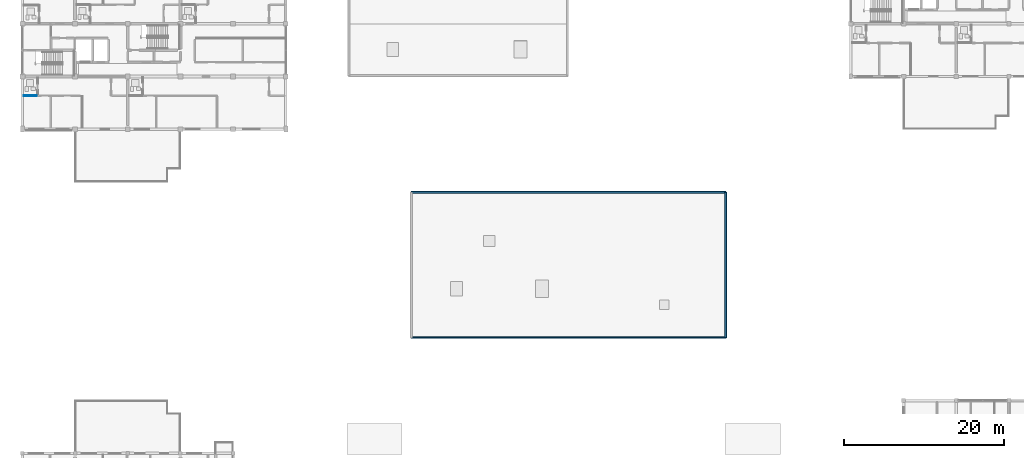
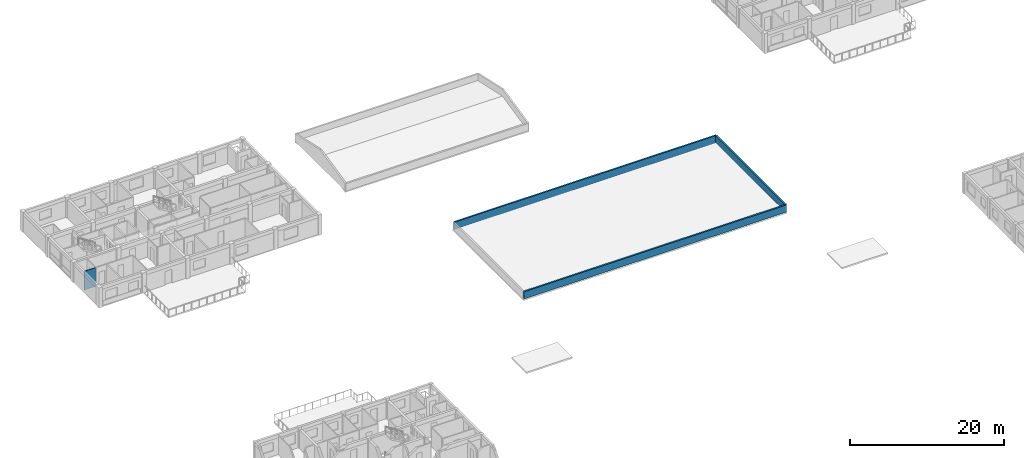
# One storey, part 33 of 51: 4 walls.
"""IFC4 building model written with IfcOpenShell, lengths in metres."""

from ifc_helpers import new_model, si_unit, direction, frame, frame_2d, origin, place, context, subcontext, project, spatial, rectangle, extrude, material, layer, layer_set, type_object, element, save


model = new_model("IFC4")

# Units and contexts
model_context = context("Model", 3, precision=1e-05, world=origin(), true_north=direction((0.0, 1.0)))
body_context = subcontext(model_context, "Body", "Model", "MODEL_VIEW")
ifc_project = project(units=[si_unit("LENGTHUNIT", "METRE"), si_unit("AREAUNIT", "SQUARE_METRE"), si_unit("VOLUMEUNIT", "CUBIC_METRE"), si_unit("PLANEANGLEUNIT", "RADIAN"), si_unit("MASSUNIT", "GRAM", prefix="KILO")], contexts=[model_context])

# Site, building, storey
site_placement = place(None, origin())
site = spatial("IfcSite", under=ifc_project, at=site_placement, CompositionType="ELEMENT")
building_placement = place(site_placement, origin())
building = spatial("IfcBuilding", under=site, at=building_placement, Name="Kernevlak Ridge Housing Community", CompositionType="ELEMENT")
storey_placement = place(building_placement, frame((0.0, 0.0, 8.39990234375)))
storey = spatial("IfcBuildingStorey", under=building, at=storey_placement, Name="L02", CompositionType="ELEMENT", Elevation=8.39990234375)

# Walls
ifc_material_1 = material(Name="Concrete C35/45", Category="concrete")
ifc_layer_1 = layer(ifc_material_1, 0.235107421875, Name="Concrete C35/45")
ifc_layer_set_1 = layer_set([ifc_layer_1], Name="Concrete C35/45")
wall_type_1 = type_object("IfcWallType", Name="PR-04", PredefinedType="PARAPET", material=ifc_layer_set_1)
wall_1_placement = place(storey_placement, frame((64.300048828125, 49.89990234375, 0.0), z_axis=(0.0, 0.0, 1.0), x_axis=(1.0, 0.0, 0.0)))
element("IfcWall", 1, at=wall_1_placement, inside=storey, type_object=wall_type_1, Name="Community Hall roof parapet 1", PredefinedType="PARAPET", context=body_context, shape_type="SweptSolid", body=[
    extrude(rectangle(XDim=39.39990234375, YDim=0.235107421875, at=frame_2d((19.699951171875, 0.0))), origin(), (0.0, 0.0, 1.0), 1.150146484375),
])
wall_2_placement = place(storey_placement, frame((103.699951171875, 49.89990234375, 0.0), z_axis=(0.0, 0.0, 1.0), x_axis=(0.0, 1.0, 0.0)))
element("IfcWall", 2, at=wall_2_placement, inside=storey, type_object=wall_type_1, Name="Community Hall roof parapet 2", PredefinedType="PARAPET", context=body_context, shape_type="SweptSolid", body=[
    extrude(rectangle(XDim=18.2001953125, YDim=0.235107421875, at=frame_2d((9.10009765625, 0.0))), origin(), (0.0, 0.0, 1.0), 1.150146484375),
])
wall_3_placement = place(storey_placement, frame((103.699951171875, 68.10009765625, 0.0), z_axis=(0.0, 0.0, 1.0), x_axis=(-1.0, 0.0, 0.0)))
element("IfcWall", 3, at=wall_3_placement, inside=storey, type_object=wall_type_1, Name="Community Hall roof parapet 3", PredefinedType="PARAPET", context=body_context, shape_type="SweptSolid", body=[
    extrude(rectangle(XDim=39.39990234375, YDim=0.235107421875, at=frame_2d((19.699951171875, 0.0))), origin(), (0.0, 0.0, 1.0), 1.150146484375),
])
ifc_material_2 = material(Name="Gypsum plasterboard EN 520", Category="gypsum")
ifc_layer_2 = layer(ifc_material_2, 0.125, Name="Gypsum plasterboard EN 520")
ifc_layer_set_2 = layer_set([ifc_layer_2], Name="Gypsum plasterboard EN 520")
wall_type_2 = type_object("IfcWallType", Name="PW-04", PredefinedType="PARTITIONING", material=ifc_layer_set_2)
wall_4_placement = place(storey_placement, frame((15.760009765625, 80.199951171875, 0.0), z_axis=(0.0, 0.0, 1.0), x_axis=(1.0, 0.0, 0.0)))
element("IfcWall", 4, at=wall_4_placement, inside=storey, type_object=wall_type_2, Name="Interior wall PW-04 WAL-INT-L02-0155", PredefinedType="PARTITIONING", context=body_context, shape_type="SweptSolid", body=[
    extrude(rectangle(XDim=1.659912109375, YDim=0.125, at=frame_2d((0.830078125, 0.0))), origin(), (0.0, 0.0, 1.0), 2.960205078125),
])

save(model, "model.ifc")
